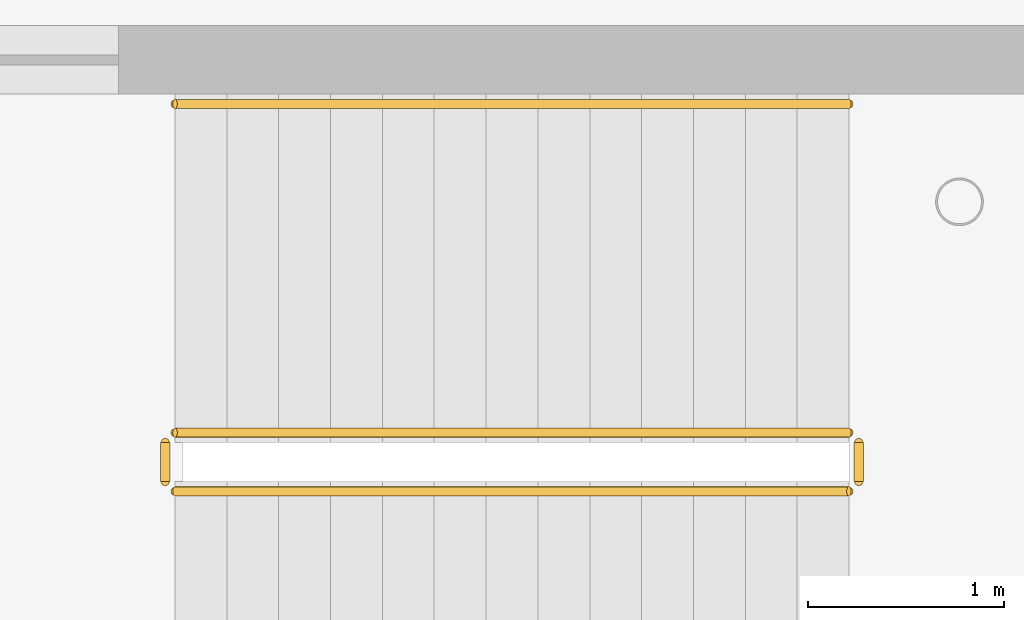
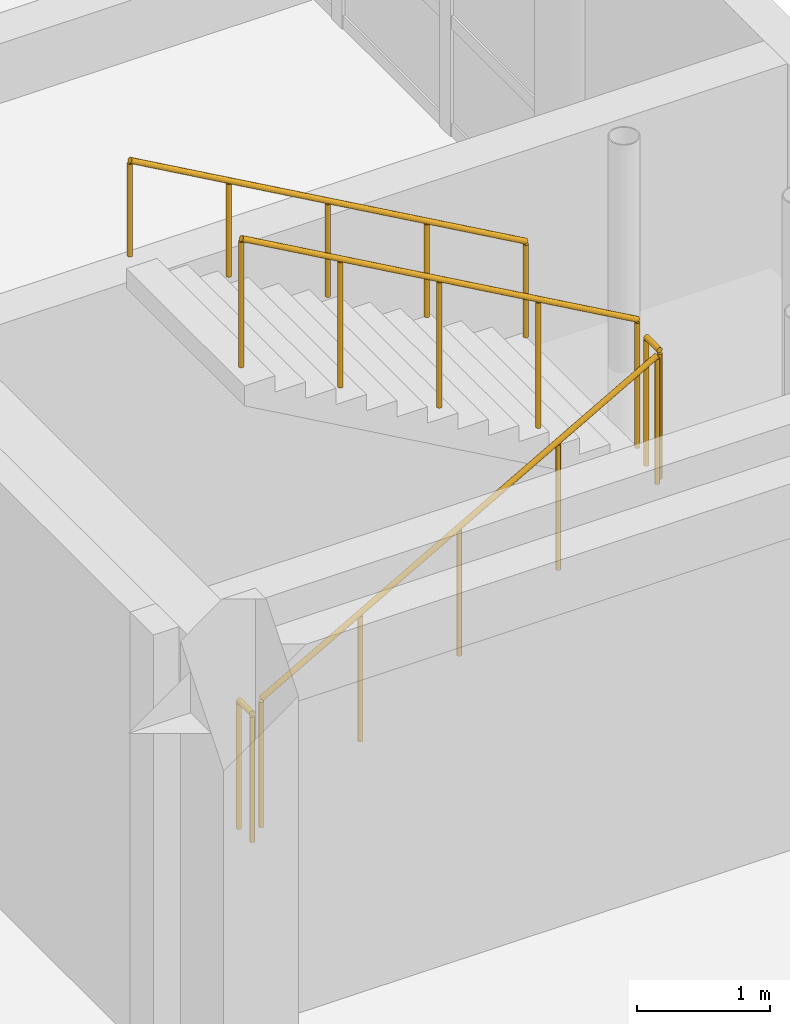
# One storey, part 194 of 195: 5 railings.
"""IFC4 building model written with IfcOpenShell, lengths in metres."""

import ifcopenshell
import ifcopenshell.guid

model = None  # the IFC model being written
_history = None  # IfcOwnerHistory: only IFC2X3 demands one
_inside = {}  # id of a spatial element -> (the spatial element, [elements in it])
_under = {}  # id of a project, library or spatial element -> (it, [spatial elements below it])
_declared = {}  # id of a project -> (the project, [libraries it declares])
_typed = {}  # id of a type object -> (the type object, [elements of that type])
_made_of = {}  # id of a material, layer set ... -> (it, [elements and type objects made of it])


def new_model(schema):
    """Start an empty IFC model of exactly this schema.

    Asked for "IFC4X3", IfcOpenShell would pick the latest addendum, in which some entities
    have other attributes; the version numbers below select the first issue.
    IFC2X3 requires an IfcOwnerHistory on every rooted entity: one is made here for all.
    """
    global model, _history
    if schema == "IFC4X3":
        model = ifcopenshell.file(schema_version=(4, 3, 0, 0))
    else:
        model = ifcopenshell.file(schema=schema)
    _inside.clear()
    _under.clear()
    _declared.clear()
    _typed.clear()
    _made_of.clear()
    _history = None
    if model.schema == "IFC2X3":
        org = make("IfcOrganization", Name="unknown")
        user = make(
            "IfcPersonAndOrganization",
            ThePerson=make("IfcPerson", FamilyName="unknown"),
            TheOrganization=org,
        )
        app = make(
            "IfcApplication",
            ApplicationDeveloper=org,
            Version="unknown",
            ApplicationFullName="unknown",
            ApplicationIdentifier="unknown",
        )
        _history = make(
            "IfcOwnerHistory",
            OwningUser=user,
            OwningApplication=app,
            ChangeAction="ADDED",
            CreationDate=0,
        )
    return model


def make(cls, **values):
    """One entity of the class cls with the attributes given. An attribute that is None is left unset."""
    return model.create_entity(
        cls, **{name: value for name, value in values.items() if value is not None}
    )


def rooted(cls, **values):
    """An entity with a GlobalId (a new one), such as an element, a storey or a relation."""
    return make(cls, GlobalId=ifcopenshell.guid.new(), OwnerHistory=_history, **values)


def si_unit(unit_type, name, prefix=None):
    """IfcSIUnit, for example si_unit("LENGTHUNIT", "METRE", prefix="MILLI")."""
    return make("IfcSIUnit", UnitType=unit_type, Prefix=prefix, Name=name)


def assignment(units):
    """IfcUnitAssignment: the units of a project."""
    return None if units is None else make("IfcUnitAssignment", Units=units)


def point(xyz):
    """IfcCartesianPoint."""
    return None if xyz is None else make("IfcCartesianPoint", Coordinates=xyz)


def direction(xyz):
    """IfcDirection."""
    return None if xyz is None else make("IfcDirection", DirectionRatios=xyz)


def frame(location, z_axis=None, x_axis=None):
    """IfcAxis2Placement3D, a coordinate frame: its origin and axes. An axis left out is left unset."""
    return make(
        "IfcAxis2Placement3D",
        Location=point(location),
        Axis=direction(z_axis),
        RefDirection=direction(x_axis),
    )


def frame_2d(location, x_axis=None):
    """IfcAxis2Placement2D, a coordinate frame in the plane: its origin and x axis."""
    return make(
        "IfcAxis2Placement2D", Location=point(location), RefDirection=direction(x_axis)
    )


def origin():
    """The frame at (0, 0, 0) with its axes left unset."""
    return frame((0.0, 0.0, 0.0))


def origin_2d():
    """The frame at (0, 0) in the plane with its x axis left unset."""
    return frame_2d((0.0, 0.0))


def place(relative_to, where):
    """IfcLocalPlacement: puts the frame where relative to a parent placement (None: the world)."""
    return make(
        "IfcLocalPlacement", PlacementRelTo=relative_to, RelativePlacement=where
    )


def context(
    kind, dimensions, precision=None, world=None, true_north=None, identifier=None
):
    """IfcGeometricRepresentationContext, for example the 3D "Model" context."""
    return make(
        "IfcGeometricRepresentationContext",
        ContextIdentifier=identifier,
        ContextType=kind,
        CoordinateSpaceDimension=dimensions,
        Precision=precision,
        WorldCoordinateSystem=world,
        TrueNorth=true_north,
    )


def subcontext(parent, identifier, kind, view, scale=None):
    """IfcGeometricRepresentationSubContext, for example "Body" below "Model"."""
    return make(
        "IfcGeometricRepresentationSubContext",
        ContextIdentifier=identifier,
        ContextType=kind,
        ParentContext=parent,
        TargetScale=scale,
        TargetView=view,
    )


def project(units=None, contexts=None):
    """IfcProject with its units and contexts."""
    return rooted(
        "IfcProject",
        Name="project",
        RepresentationContexts=contexts,
        UnitsInContext=assignment(units),
    )


def spatial(cls, under=None, at=None, **own):
    """A site, building, storey or space (cls), placed at a placement, below another one or the project."""
    s = rooted(cls, ObjectPlacement=at, **own)
    if under is not None:
        _under.setdefault(under.id(), (under, []))[1].append(s)
    return s


def profile(cls, at=None, kind="AREA", **sizes):
    """A parametric profile (cls). Its sizes go by their IFC names, for example OverallWidth=200.0."""
    return make(cls, ProfileType=kind, Position=at, **sizes)


def circle(**sizes):
    """IfcCircleProfileDef."""
    return profile("IfcCircleProfileDef", **sizes)


def extrude(swept, where, along, depth):
    """IfcExtrudedAreaSolid: the profile swept, set in the frame where, extruded along a direction by depth."""
    return make(
        "IfcExtrudedAreaSolid",
        SweptArea=swept,
        Position=where,
        ExtrudedDirection=direction(along),
        Depth=depth,
    )


def shape(context_of_items, identifier, shape_type, items):
    """IfcShapeRepresentation: the items that make up one representation, for example the "Body"."""
    return make(
        "IfcShapeRepresentation",
        ContextOfItems=context_of_items,
        RepresentationIdentifier=identifier,
        RepresentationType=shape_type,
        Items=items,
    )


def material(Name=None, Category=None):
    """IfcMaterial."""
    return make("IfcMaterial", Name=Name, Category=Category)


def made_of(thing, what):
    """Note that an element or type object is made of a material, layer set ...; save() writes the relation."""
    if what is not None:
        _made_of.setdefault(what.id(), (what, []))[1].append(thing)
    return thing


def type_object(cls, material=None, **own):
    """A type object (cls), such as IfcWallType, which elements share."""
    return made_of(rooted(cls, **own), material)


def element(
    cls,
    number,
    at=None,
    inside=None,
    cuts=None,
    type_object=None,
    material=None,
    context=None,
    identifier="Body",
    shape_type=None,
    held_by="IfcProductDefinitionShape",
    body=None,
    shapes=None,
    **own,
):
    """One element of the class cls, such as IfcWall. Its Tag is "e" and its number.

    at: its placement. inside: the storey or other place that contains it. cuts: it is an
    opening in that element (IfcRelVoidsElement). A single representation is given by context,
    identifier, shape_type and body (its items); several are given by shapes. held_by: the class
    of the entity that holds the representations. save() writes the other relations.
    """
    e = rooted(cls, Tag="e%d" % number, ObjectPlacement=at, **own)
    if body is not None:
        shapes = [shape(context, identifier, shape_type, body)]
    if shapes is not None:
        e.Representation = make(held_by, Representations=shapes)
    if inside is not None:
        _inside.setdefault(inside.id(), (inside, []))[1].append(e)
    if cuts is not None:
        rooted(
            "IfcRelVoidsElement", RelatingBuildingElement=cuts, RelatedOpeningElement=e
        )
    if type_object is not None:
        _typed.setdefault(type_object.id(), (type_object, []))[1].append(e)
    return made_of(e, material)


def aggregate(whole, parts):
    """IfcRelAggregates: a whole, such as a stair, and the parts it consists of."""
    return rooted("IfcRelAggregates", RelatingObject=whole, RelatedObjects=parts)


def save(model, path):
    """Write the relations noted so far, then the file.

    IfcRelAggregates (storeys below a building ...), IfcRelContainedInSpatialStructure (elements
    in a storey), IfcRelDefinesByType, IfcRelAssociatesMaterial and IfcRelDeclares: one each for
    every whole, place, type object, material and project.
    """
    for whole, parts in _under.values():
        aggregate(whole, parts)
    for where, things in _inside.values():
        rooted(
            "IfcRelContainedInSpatialStructure",
            RelatedElements=things,
            RelatingStructure=where,
        )
    for kind, things in _typed.values():
        rooted("IfcRelDefinesByType", RelatedObjects=things, RelatingType=kind)
    for what, things in _made_of.values():
        rooted("IfcRelAssociatesMaterial", RelatedObjects=things, RelatingMaterial=what)
    for by, libraries in _declared.values():
        rooted("IfcRelDeclares", RelatingContext=by, RelatedDefinitions=libraries)
    model.write(path)


model = new_model("IFC4")

# Units and contexts
model_context = context("Model", 3, precision=1e-05, world=origin(), true_north=direction((0.0, 1.0)))
body_context = subcontext(model_context, "Body", "Model", "MODEL_VIEW")
ifc_project = project(units=[si_unit("LENGTHUNIT", "METRE"), si_unit("AREAUNIT", "SQUARE_METRE"), si_unit("VOLUMEUNIT", "CUBIC_METRE"), si_unit("PLANEANGLEUNIT", "RADIAN"), si_unit("MASSUNIT", "GRAM", prefix="KILO")], contexts=[model_context])

# Site, building, storey
site_placement = place(None, origin())
site = spatial("IfcSite", under=ifc_project, at=site_placement, CompositionType="ELEMENT")
building_placement = place(site_placement, origin())
building = spatial("IfcBuilding", under=site, at=building_placement, Name="Kharva Crest Polytechnic", CompositionType="ELEMENT")
storey_placement = place(building_placement, frame((0.0, 0.0, 9.0)))
storey = spatial("IfcBuildingStorey", under=building, at=storey_placement, Name="L02", CompositionType="ELEMENT", Elevation=9.0)

# Railings
ifc_material_1 = material(Name="Anodised aluminium", Category="aluminium")
railing_type_1 = type_object("IfcRailingType", Name="RL-STAIR-GUARD-1200", PredefinedType="GUARDRAIL", material=ifc_material_1)
railing_1_placement = place(storey_placement, frame((178.090087890625, 73.39990234375, 0.14990234375)))
element("IfcRailing", 1, at=railing_1_placement, inside=storey, type_object=railing_type_1, Name="L02 ST-05 stair guard 1", PredefinedType="GUARDRAIL", context=body_context, shape_type="SweptSolid", body=[
    extrude(circle(Radius=0.02392578125, at=origin_2d()), frame((0.0, 0.0, 1.17578125), z_axis=(0.870224926921, 0.0, 0.492654621987), x_axis=(0.0, 1.0, 0.0)), (0.0, 0.0, 1.0), 3.95849609375),
    extrude(circle(Radius=0.02099609375, at=origin_2d()), origin(), (0.0, 0.0, 1.0), 1.15185546875),
    extrude(circle(Radius=0.02099609375, at=origin_2d()), frame((0.861328125, 0.0, 0.487548828125)), (0.0, 0.0, 1.0), 1.15185546875),
    extrude(circle(Radius=0.02099609375, at=origin_2d()), frame((1.722412109375, 0.0, 0.97509765625)), (0.0, 0.0, 1.0), 1.15185546875),
    extrude(circle(Radius=0.02099609375, at=origin_2d()), frame((2.58349609375, 0.0, 1.462646484375)), (0.0, 0.0, 1.0), 1.15185546875),
    extrude(circle(Radius=0.02099609375, at=origin_2d()), frame((3.44482421875, 0.0, 1.9501953125)), (0.0, 0.0, 1.0), 1.15185546875),
])
railing_2_placement = place(storey_placement, frame((181.5849609375, 73.449951171875, 2.10009765625)))
element("IfcRailing", 2, at=railing_2_placement, inside=storey, type_object=railing_type_1, Name="L02 ST-05 stair guard 2", PredefinedType="GUARDRAIL", context=body_context, shape_type="SweptSolid", body=[
    extrude(circle(Radius=0.02392578125, at=origin_2d()), frame((0.0, 0.0, 1.17578125), z_axis=(0.0, 1.0, 0.0), x_axis=(-1.0, 0.0, 0.0)), (0.0, 0.0, 1.0), 0.199951171875),
    extrude(circle(Radius=0.02099609375, at=origin_2d()), origin(), (0.0, 0.0, 1.0), 1.15185546875),
    extrude(circle(Radius=0.02099609375, at=origin_2d()), frame((0.0, 0.199951171875, 0.0)), (0.0, 0.0, 1.0), 1.15185546875),
])
railing_3_placement = place(storey_placement, frame((181.534912109375, 73.699951171875, 2.25)))
element("IfcRailing", 3, at=railing_3_placement, inside=storey, type_object=railing_type_1, Name="L02 ST-05 stair guard 3", PredefinedType="GUARDRAIL", context=body_context, shape_type="SweptSolid", body=[
    extrude(circle(Radius=0.02392578125, at=origin_2d()), frame((0.0, 0.0, 1.17578125), z_axis=(-0.870251367514, 0.0, 0.492607914411), x_axis=(0.0, -1.0, 0.0)), (0.0, 0.0, 1.0), 3.95849609375),
    extrude(circle(Radius=0.02099609375, at=origin_2d()), origin(), (0.0, 0.0, 1.0), 1.15185546875),
    extrude(circle(Radius=0.02099609375, at=origin_2d()), frame((-0.861328125, 0.0, 0.487548828125)), (0.0, 0.0, 1.0), 1.15185546875),
    extrude(circle(Radius=0.02099609375, at=origin_2d()), frame((-1.722412109375, 0.0, 0.97509765625)), (0.0, 0.0, 1.0), 1.15185546875),
    extrude(circle(Radius=0.02099609375, at=origin_2d()), frame((-2.58349609375, 0.0, 1.46240234375)), (0.0, 0.0, 1.0), 1.15185546875),
    extrude(circle(Radius=0.02099609375, at=origin_2d()), frame((-3.44482421875, 0.0, 1.949951171875)), (0.0, 0.0, 1.0), 1.15185546875),
])
railing_4_placement = place(storey_placement, frame((178.0400390625, 73.449951171875, 0.0)))
element("IfcRailing", 4, at=railing_4_placement, inside=storey, type_object=railing_type_1, Name="L02 ST-05 stair guard 4", PredefinedType="GUARDRAIL", context=body_context, shape_type="SweptSolid", body=[
    extrude(circle(Radius=0.02392578125, at=origin_2d()), frame((0.0, 0.0, 1.17578125), z_axis=(0.0, 1.0, 0.0), x_axis=(-1.0, 0.0, 0.0)), (0.0, 0.0, 1.0), 0.199951171875),
    extrude(circle(Radius=0.02099609375, at=origin_2d()), origin(), (0.0, 0.0, 1.0), 1.15185546875),
    extrude(circle(Radius=0.02099609375, at=origin_2d()), frame((0.0, 0.199951171875, 0.0)), (0.0, 0.0, 1.0), 1.15185546875),
])
ifc_material_2 = material(Name="Teak timber", Category="wood")
railing_type_2 = type_object("IfcRailingType", Name="RL-STAIR-HAND-900", PredefinedType="HANDRAIL", material=ifc_material_2)
railing_5_placement = place(storey_placement, frame((181.534912109375, 75.3798828125, 2.25)))
element("IfcRailing", 5, at=railing_5_placement, inside=storey, type_object=railing_type_2, Name="L02 ST-05 stair handrail 2", PredefinedType="HANDRAIL", context=body_context, shape_type="SweptSolid", body=[
    extrude(circle(Radius=0.02392578125, at=origin_2d()), frame((0.0, 0.0, 0.8759765625), z_axis=(-0.870251367514, 0.0, 0.492607914411), x_axis=(0.0, -1.0, 0.0)), (0.0, 0.0, 1.0), 3.95849609375),
    extrude(circle(Radius=0.02099609375, at=origin_2d()), origin(), (0.0, 0.0, 1.0), 0.851806640625),
    extrude(circle(Radius=0.02099609375, at=origin_2d()), frame((-0.861328125, 0.0, 0.487548828125)), (0.0, 0.0, 1.0), 0.851806640625),
    extrude(circle(Radius=0.02099609375, at=origin_2d()), frame((-1.722412109375, 0.0, 0.97509765625)), (0.0, 0.0, 1.0), 0.851806640625),
    extrude(circle(Radius=0.02099609375, at=origin_2d()), frame((-2.58349609375, 0.0, 1.46240234375)), (0.0, 0.0, 1.0), 0.851806640625),
    extrude(circle(Radius=0.02099609375, at=origin_2d()), frame((-3.44482421875, 0.0, 1.949951171875)), (0.0, 0.0, 1.0), 0.851806640625),
])

save(model, "model.ifc")
